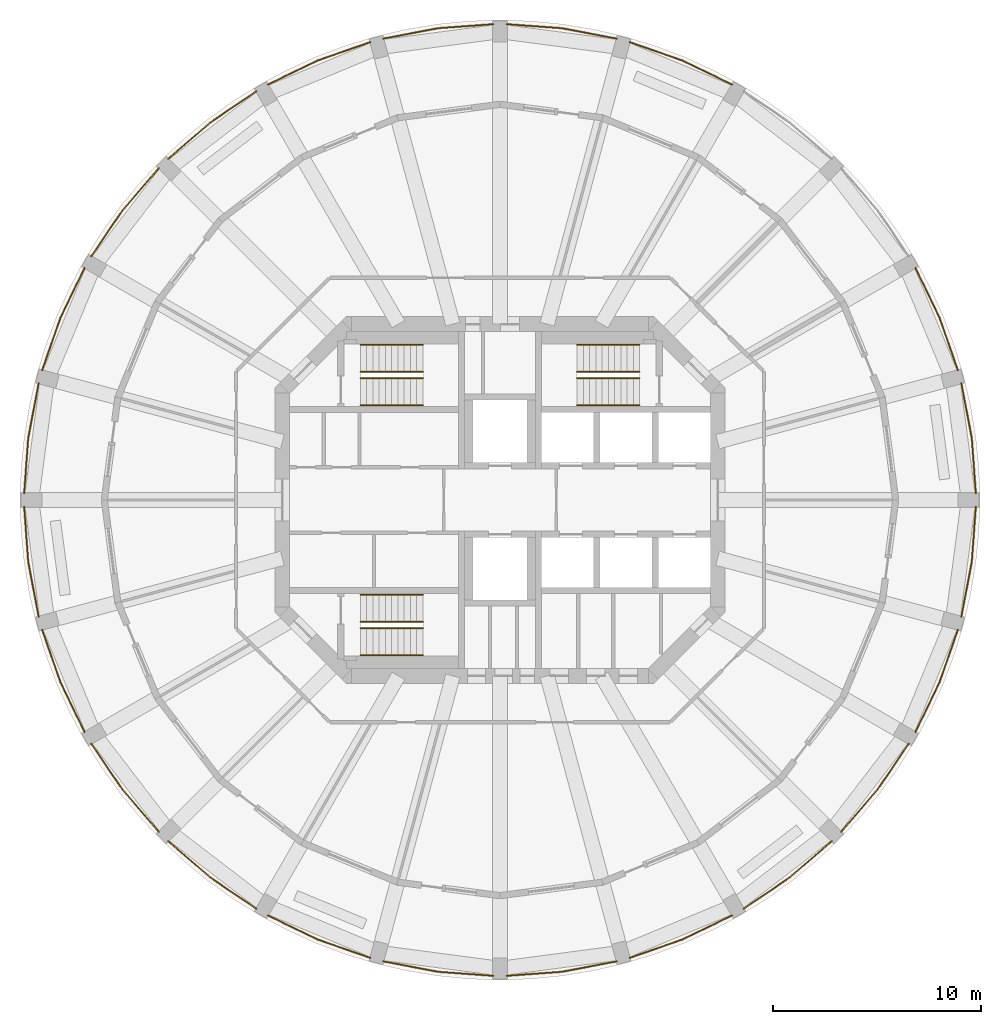
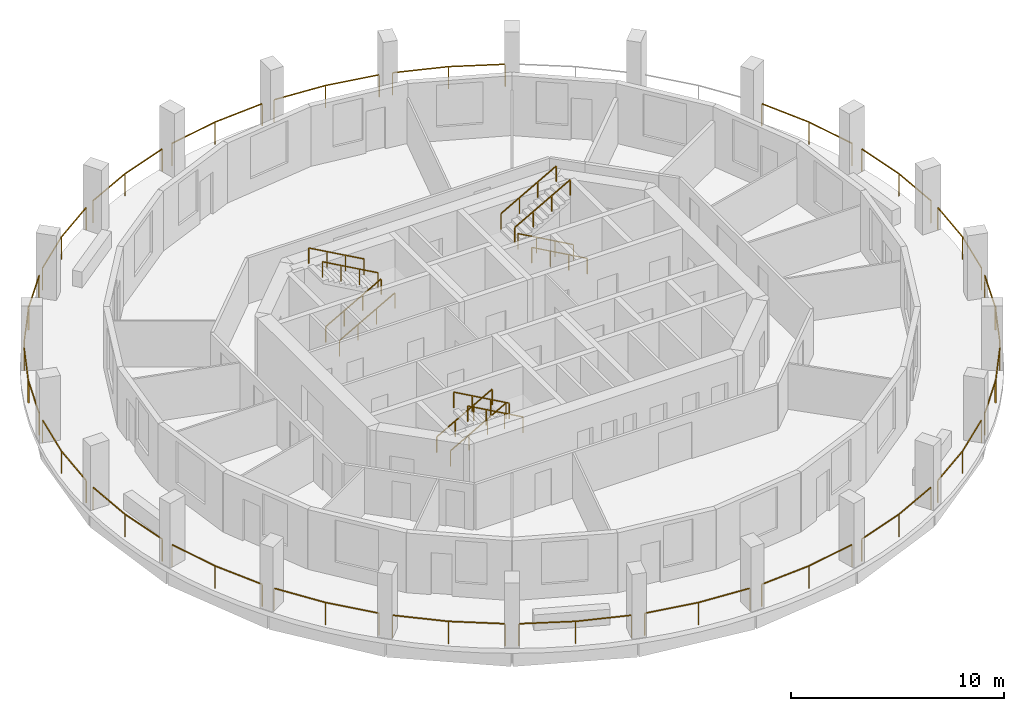
# One storey, part 8 of 9: 34 railings.
"""IFC4 building model written with IfcOpenShell, lengths in metres."""

from ifc_helpers import new_model, si_unit, direction, frame, origin, origin_2d, place, context, subcontext, project, spatial, rectangle, extrude, material, type_object, element, save


model = new_model("IFC4")

# Units and contexts
model_context = context("Model", 3, precision=1e-05, world=origin(), true_north=direction((0.0, 1.0)))
body_context = subcontext(model_context, "Body", "Model", "MODEL_VIEW")
ifc_project = project(units=[si_unit("LENGTHUNIT", "METRE"), si_unit("AREAUNIT", "SQUARE_METRE"), si_unit("VOLUMEUNIT", "CUBIC_METRE"), si_unit("PLANEANGLEUNIT", "RADIAN"), si_unit("MASSUNIT", "GRAM", prefix="KILO")], contexts=[model_context])

# Site, building, storey
site_placement = place(None, origin())
site = spatial("IfcSite", under=ifc_project, at=site_placement, CompositionType="ELEMENT")
building_placement = place(site_placement, origin())
building = spatial("IfcBuilding", under=site, at=building_placement, Name="Torre Triforio", CompositionType="ELEMENT")
storey_placement = place(building_placement, frame((0.0, 0.0, 165.300048828125)))
storey = spatial("IfcBuildingStorey", under=building, at=storey_placement, Name="L37", CompositionType="ELEMENT", Elevation=165.300048828125)

# Railings
ifc_material = material(Name="Stainless steel AISI 316", Category="steel")
railing_type_1 = type_object("IfcRailingType", Name="HANDRAIL 920", PredefinedType="HANDRAIL", material=ifc_material)
for number, where, name in (
    (1, (-6.699951171875, 4.550048828125, 0.168212890625), "Handrail ST1"),
    (2, (-6.699951171875, 5.85009765625, 0.168212890625), "Handrail ST1"),
):
    element("IfcRailing", number, at=place(storey_placement, frame(where)), inside=storey, type_object=railing_type_1, Name=name, PredefinedType="HANDRAIL", context=body_context, shape_type="SweptSolid", body=[
        extrude(rectangle(XDim=0.048095703125, YDim=0.048095703125, at=origin_2d()), frame((0.0, 0.0, 0.89599609375), z_axis=(0.872302573547, 0.0, 0.488966481656), x_axis=(0.0, 1.0, 0.0)), (0.0, 0.0, 1.0), 3.439208984375),
        extrude(rectangle(XDim=0.0419921875, YDim=0.0419921875, at=origin_2d()), origin(), (0.0, 0.0, 1.0), 0.871826171875),
        extrude(rectangle(XDim=0.0419921875, YDim=0.0419921875, at=origin_2d()), frame((1.0, 0.0, 0.560546875)), (0.0, 0.0, 1.0), 0.871826171875),
        extrude(rectangle(XDim=0.0419921875, YDim=0.0419921875, at=origin_2d()), frame((2.0, 0.0, 1.12109375)), (0.0, 0.0, 1.0), 0.871826171875),
        extrude(rectangle(XDim=0.0419921875, YDim=0.0419921875, at=origin_2d()), frame((3.0, 0.0, 1.681640625)), (0.0, 0.0, 1.0), 0.871826171875),
    ])
for number, where, name in (
    (3, (-3.699951171875, 7.449951171875, 2.01806640625), "Handrail ST1"),
    (4, (-3.699951171875, 6.14990234375, 2.01806640625), "Handrail ST1"),
):
    element("IfcRailing", number, at=place(storey_placement, frame(where)), inside=storey, type_object=railing_type_1, Name=name, PredefinedType="HANDRAIL", context=body_context, shape_type="SweptSolid", body=[
        extrude(rectangle(XDim=0.048095703125, YDim=0.048095703125, at=origin_2d()), frame((0.0, 0.0, 0.89599609375), z_axis=(-0.872272294576, 0.0, 0.489020494575), x_axis=(0.0, -1.0, 0.0)), (0.0, 0.0, 1.0), 3.439208984375),
        extrude(rectangle(XDim=0.0419921875, YDim=0.0419921875, at=origin_2d()), origin(), (0.0, 0.0, 1.0), 0.871826171875),
        extrude(rectangle(XDim=0.0419921875, YDim=0.0419921875, at=origin_2d()), frame((-1.0, 0.0, 0.560546875)), (0.0, 0.0, 1.0), 0.871826171875),
        extrude(rectangle(XDim=0.0419921875, YDim=0.0419921875, at=origin_2d()), frame((-2.0, 0.0, 1.121337890625)), (0.0, 0.0, 1.0), 0.871826171875),
        extrude(rectangle(XDim=0.0419921875, YDim=0.0419921875, at=origin_2d()), frame((-3.0, 0.0, 1.681884765625)), (0.0, 0.0, 1.0), 0.871826171875),
    ])
for number, where, name in (
    (5, (6.699951171875, 4.550048828125, 0.168212890625), "Handrail ST2"),
    (6, (6.699951171875, 5.85009765625, 0.168212890625), "Handrail ST2"),
):
    element("IfcRailing", number, at=place(storey_placement, frame(where)), inside=storey, type_object=railing_type_1, Name=name, PredefinedType="HANDRAIL", context=body_context, shape_type="SweptSolid", body=[
        extrude(rectangle(XDim=0.048095703125, YDim=0.048095703125, at=origin_2d()), frame((0.0, 0.0, 0.89599609375), z_axis=(-0.872302573547, 0.0, 0.488966481656), x_axis=(0.0, -1.0, 0.0)), (0.0, 0.0, 1.0), 3.439208984375),
        extrude(rectangle(XDim=0.0419921875, YDim=0.0419921875, at=origin_2d()), origin(), (0.0, 0.0, 1.0), 0.871826171875),
        extrude(rectangle(XDim=0.0419921875, YDim=0.0419921875, at=origin_2d()), frame((-1.0, 0.0, 0.560546875)), (0.0, 0.0, 1.0), 0.871826171875),
        extrude(rectangle(XDim=0.0419921875, YDim=0.0419921875, at=origin_2d()), frame((-2.0, 0.0, 1.12109375)), (0.0, 0.0, 1.0), 0.871826171875),
        extrude(rectangle(XDim=0.0419921875, YDim=0.0419921875, at=origin_2d()), frame((-3.0, 0.0, 1.681640625)), (0.0, 0.0, 1.0), 0.871826171875),
    ])
for number, where, name in (
    (7, (3.699951171875, 7.449951171875, 2.01806640625), "Handrail ST2"),
    (8, (3.699951171875, 6.14990234375, 2.01806640625), "Handrail ST2"),
):
    element("IfcRailing", number, at=place(storey_placement, frame(where)), inside=storey, type_object=railing_type_1, Name=name, PredefinedType="HANDRAIL", context=body_context, shape_type="SweptSolid", body=[
        extrude(rectangle(XDim=0.048095703125, YDim=0.048095703125, at=origin_2d()), frame((0.0, 0.0, 0.89599609375), z_axis=(0.872272294576, 0.0, 0.489020494575), x_axis=(0.0, 1.0, 0.0)), (0.0, 0.0, 1.0), 3.439208984375),
        extrude(rectangle(XDim=0.0419921875, YDim=0.0419921875, at=origin_2d()), origin(), (0.0, 0.0, 1.0), 0.871826171875),
        extrude(rectangle(XDim=0.0419921875, YDim=0.0419921875, at=origin_2d()), frame((1.0, 0.0, 0.560546875)), (0.0, 0.0, 1.0), 0.871826171875),
        extrude(rectangle(XDim=0.0419921875, YDim=0.0419921875, at=origin_2d()), frame((2.0, 0.0, 1.121337890625)), (0.0, 0.0, 1.0), 0.871826171875),
        extrude(rectangle(XDim=0.0419921875, YDim=0.0419921875, at=origin_2d()), frame((3.0, 0.0, 1.681884765625)), (0.0, 0.0, 1.0), 0.871826171875),
    ])
for number, where, name in (
    (9, (-6.699951171875, -4.550048828125, 0.168212890625), "Handrail ST3"),
    (10, (-6.699951171875, -5.85009765625, 0.168212890625), "Handrail ST3"),
):
    element("IfcRailing", number, at=place(storey_placement, frame(where)), inside=storey, type_object=railing_type_1, Name=name, PredefinedType="HANDRAIL", context=body_context, shape_type="SweptSolid", body=[
        extrude(rectangle(XDim=0.048095703125, YDim=0.048095703125, at=origin_2d()), frame((0.0, 0.0, 0.89599609375), z_axis=(0.872302573547, 0.0, 0.488966481656), x_axis=(0.0, 1.0, 0.0)), (0.0, 0.0, 1.0), 3.439208984375),
        extrude(rectangle(XDim=0.0419921875, YDim=0.0419921875, at=origin_2d()), origin(), (0.0, 0.0, 1.0), 0.871826171875),
        extrude(rectangle(XDim=0.0419921875, YDim=0.0419921875, at=origin_2d()), frame((1.0, 0.0, 0.560546875)), (0.0, 0.0, 1.0), 0.871826171875),
        extrude(rectangle(XDim=0.0419921875, YDim=0.0419921875, at=origin_2d()), frame((2.0, 0.0, 1.12109375)), (0.0, 0.0, 1.0), 0.871826171875),
        extrude(rectangle(XDim=0.0419921875, YDim=0.0419921875, at=origin_2d()), frame((3.0, 0.0, 1.681640625)), (0.0, 0.0, 1.0), 0.871826171875),
    ])
for number, where, name in (
    (11, (-3.699951171875, -7.449951171875, 2.01806640625), "Handrail ST3"),
    (12, (-3.699951171875, -6.14990234375, 2.01806640625), "Handrail ST3"),
):
    element("IfcRailing", number, at=place(storey_placement, frame(where)), inside=storey, type_object=railing_type_1, Name=name, PredefinedType="HANDRAIL", context=body_context, shape_type="SweptSolid", body=[
        extrude(rectangle(XDim=0.048095703125, YDim=0.048095703125, at=origin_2d()), frame((0.0, 0.0, 0.89599609375), z_axis=(-0.872272294576, 0.0, 0.489020494575), x_axis=(0.0, -1.0, 0.0)), (0.0, 0.0, 1.0), 3.439208984375),
        extrude(rectangle(XDim=0.0419921875, YDim=0.0419921875, at=origin_2d()), origin(), (0.0, 0.0, 1.0), 0.871826171875),
        extrude(rectangle(XDim=0.0419921875, YDim=0.0419921875, at=origin_2d()), frame((-1.0, 0.0, 0.560546875)), (0.0, 0.0, 1.0), 0.871826171875),
        extrude(rectangle(XDim=0.0419921875, YDim=0.0419921875, at=origin_2d()), frame((-2.0, 0.0, 1.121337890625)), (0.0, 0.0, 1.0), 0.871826171875),
        extrude(rectangle(XDim=0.0419921875, YDim=0.0419921875, at=origin_2d()), frame((-3.0, 0.0, 1.681884765625)), (0.0, 0.0, 1.0), 0.871826171875),
    ])
railing_type_2 = type_object("IfcRailingType", Name="Loggia guard 1300", PredefinedType="GUARDRAIL", material=ifc_material)
railing_1_placement = place(storey_placement, frame((22.85009765625, 0.320068359375, 0.0)))
element("IfcRailing", 13, at=railing_1_placement, inside=storey, type_object=railing_type_2, Name="Loggia guard L37 bay 01", PredefinedType="GUARDRAIL", context=body_context, shape_type="SweptSolid", body=[
    extrude(rectangle(XDim=0.050048828125, YDim=0.050048828125, at=origin_2d()), frame((0.0, 0.0, 1.27490234375), z_axis=(-0.073255194528, 0.997313228868, 0.0), x_axis=(-0.997313228868, -0.073255194528, 0.0)), (0.0, 0.0, 1.0), 2.66943359375),
    extrude(rectangle(XDim=0.050048828125, YDim=0.050048828125, at=origin_2d()), frame((-0.195556640625, 2.662353515625, 1.27490234375), z_axis=(-0.187368424401, 0.982289709575, 0.0), x_axis=(-0.982289709575, -0.187368424401, 0.0)), (0.0, 0.0, 1.0), 2.669921875),
    extrude(rectangle(XDim=0.0400390625, YDim=0.0400390625, at=origin_2d()), origin(), (0.0, 0.0, 1.0), 1.25),
    extrude(rectangle(XDim=0.0400390625, YDim=0.0400390625, at=origin_2d()), frame((-0.195556640625, 2.662353515625, 0.0)), (0.0, 0.0, 1.0), 1.25),
    extrude(rectangle(XDim=0.0400390625, YDim=0.0400390625, at=origin_2d()), frame((-0.69580078125, 5.284912109375, 0.0)), (0.0, 0.0, 1.0), 1.25),
])
railing_2_placement = place(storey_placement, frame((21.988525390625, 6.22314453125, 0.0)))
element("IfcRailing", 14, at=railing_2_placement, inside=storey, type_object=railing_type_2, Name="Loggia guard L37 bay 02", PredefinedType="GUARDRAIL", context=body_context, shape_type="SweptSolid", body=[
    extrude(rectangle(XDim=0.050048828125, YDim=0.050048828125, at=origin_2d()), frame((0.0, 0.0, 1.27490234375), z_axis=(-0.328846918852, 0.944383239984, 0.0), x_axis=(-0.944383239984, -0.328846918852, 0.0)), (0.0, 0.0, 1.0), 2.669677734375),
    extrude(rectangle(XDim=0.050048828125, YDim=0.050048828125, at=origin_2d()), frame((-0.8779296875, 2.521240234375, 1.27490234375), z_axis=(-0.435211903812, 0.900328050646, 0.0), x_axis=(-0.900328050646, -0.435211903812, 0.0)), (0.0, 0.0, 1.0), 2.669677734375),
    extrude(rectangle(XDim=0.0400390625, YDim=0.0400390625, at=origin_2d()), origin(), (0.0, 0.0, 1.0), 1.25),
    extrude(rectangle(XDim=0.0400390625, YDim=0.0400390625, at=origin_2d()), frame((-0.8779296875, 2.521240234375, 0.0)), (0.0, 0.0, 1.0), 1.25),
    extrude(rectangle(XDim=0.0400390625, YDim=0.0400390625, at=origin_2d()), frame((-2.039794921875, 4.9248046875, 0.0)), (0.0, 0.0, 1.0), 1.25),
])
railing_3_placement = place(storey_placement, frame((11.14794921875, 19.94873046875, 0.0)))
element("IfcRailing", 15, at=railing_3_placement, inside=storey, type_object=railing_type_2, Name="Loggia guard L37 bay 05", PredefinedType="GUARDRAIL", context=body_context, shape_type="SweptSolid", body=[
    extrude(rectangle(XDim=0.050048828125, YDim=0.050048828125, at=origin_2d()), frame((0.0, 0.0, 1.27490234375), z_axis=(-0.900328050646, 0.435211903812, 0.0), x_axis=(-0.435211903812, -0.900328050646, 0.0)), (0.0, 0.0, 1.0), 2.669677734375),
    extrude(rectangle(XDim=0.050048828125, YDim=0.050048828125, at=origin_2d()), frame((-2.403564453125, 1.161865234375, 1.27490234375), z_axis=(-0.944383239984, 0.328846918852, 0.0), x_axis=(-0.328846918852, -0.944383239984, 0.0)), (0.0, 0.0, 1.0), 2.669677734375),
    extrude(rectangle(XDim=0.0400390625, YDim=0.0400390625, at=origin_2d()), origin(), (0.0, 0.0, 1.0), 1.25),
    extrude(rectangle(XDim=0.0400390625, YDim=0.0400390625, at=origin_2d()), frame((-2.403564453125, 1.161865234375, 0.0)), (0.0, 0.0, 1.0), 1.25),
    extrude(rectangle(XDim=0.0400390625, YDim=0.0400390625, at=origin_2d()), frame((-4.9248046875, 2.039794921875, 0.0)), (0.0, 0.0, 1.0), 1.25),
])
railing_4_placement = place(storey_placement, frame((5.60498046875, 22.154296875, 0.0)))
element("IfcRailing", 16, at=railing_4_placement, inside=storey, type_object=railing_type_2, Name="Loggia guard L37 bay 06", PredefinedType="GUARDRAIL", context=body_context, shape_type="SweptSolid", body=[
    extrude(rectangle(XDim=0.050048828125, YDim=0.050048828125, at=origin_2d()), frame((0.0, 0.0, 1.27490234375), z_axis=(-0.982289709575, 0.187368424401, 0.0), x_axis=(-0.187368424401, -0.982289709575, 0.0)), (0.0, 0.0, 1.0), 2.669921875),
    extrude(rectangle(XDim=0.050048828125, YDim=0.050048828125, at=origin_2d()), frame((-2.62255859375, 0.500244140625, 1.27490234375), z_axis=(-0.997313228868, 0.073255194528, 0.0), x_axis=(-0.073255194528, -0.997313228868, 0.0)), (0.0, 0.0, 1.0), 2.66943359375),
    extrude(rectangle(XDim=0.0400390625, YDim=0.0400390625, at=origin_2d()), origin(), (0.0, 0.0, 1.0), 1.25),
    extrude(rectangle(XDim=0.0400390625, YDim=0.0400390625, at=origin_2d()), frame((-2.62255859375, 0.500244140625, 0.0)), (0.0, 0.0, 1.0), 1.25),
    extrude(rectangle(XDim=0.0400390625, YDim=0.0400390625, at=origin_2d()), frame((-5.284912109375, 0.69580078125, 0.0)), (0.0, 0.0, 1.0), 1.25),
])
railing_5_placement = place(storey_placement, frame((-0.320068359375, 22.85009765625, 0.0)))
element("IfcRailing", 17, at=railing_5_placement, inside=storey, type_object=railing_type_2, Name="Loggia guard L37 bay 07", PredefinedType="GUARDRAIL", context=body_context, shape_type="SweptSolid", body=[
    extrude(rectangle(XDim=0.050048828125, YDim=0.050048828125, at=origin_2d()), frame((0.0, 0.0, 1.27490234375), z_axis=(-0.997313228868, -0.073255194528, 0.0), x_axis=(0.073255194528, -0.997313228868, 0.0)), (0.0, 0.0, 1.0), 2.66943359375),
    extrude(rectangle(XDim=0.050048828125, YDim=0.050048828125, at=origin_2d()), frame((-2.662353515625, -0.195556640625, 1.27490234375), z_axis=(-0.982289709575, -0.187368424401, 0.0), x_axis=(0.187368424401, -0.982289709575, 0.0)), (0.0, 0.0, 1.0), 2.669921875),
    extrude(rectangle(XDim=0.0400390625, YDim=0.0400390625, at=origin_2d()), origin(), (0.0, 0.0, 1.0), 1.25),
    extrude(rectangle(XDim=0.0400390625, YDim=0.0400390625, at=origin_2d()), frame((-2.662353515625, -0.195556640625, 0.0)), (0.0, 0.0, 1.0), 1.25),
    extrude(rectangle(XDim=0.0400390625, YDim=0.0400390625, at=origin_2d()), frame((-5.284912109375, -0.69580078125, 0.0)), (0.0, 0.0, 1.0), 1.25),
])
railing_6_placement = place(storey_placement, frame((-6.22314453125, 21.988525390625, 0.0)))
element("IfcRailing", 18, at=railing_6_placement, inside=storey, type_object=railing_type_2, Name="Loggia guard L37 bay 08", PredefinedType="GUARDRAIL", context=body_context, shape_type="SweptSolid", body=[
    extrude(rectangle(XDim=0.050048828125, YDim=0.050048828125, at=origin_2d()), frame((0.0, 0.0, 1.27490234375), z_axis=(-0.944383239984, -0.328846918852, 0.0), x_axis=(0.328846918852, -0.944383239984, 0.0)), (0.0, 0.0, 1.0), 2.669677734375),
    extrude(rectangle(XDim=0.050048828125, YDim=0.050048828125, at=origin_2d()), frame((-2.521240234375, -0.8779296875, 1.27490234375), z_axis=(-0.900328050646, -0.435211903812, 0.0), x_axis=(0.435211903812, -0.900328050646, 0.0)), (0.0, 0.0, 1.0), 2.669677734375),
    extrude(rectangle(XDim=0.0400390625, YDim=0.0400390625, at=origin_2d()), origin(), (0.0, 0.0, 1.0), 1.25),
    extrude(rectangle(XDim=0.0400390625, YDim=0.0400390625, at=origin_2d()), frame((-2.521240234375, -0.8779296875, 0.0)), (0.0, 0.0, 1.0), 1.25),
    extrude(rectangle(XDim=0.0400390625, YDim=0.0400390625, at=origin_2d()), frame((-4.9248046875, -2.039794921875, 0.0)), (0.0, 0.0, 1.0), 1.25),
])
railing_7_placement = place(storey_placement, frame((-11.7021484375, 19.628662109375, 0.0)))
element("IfcRailing", 19, at=railing_7_placement, inside=storey, type_object=railing_type_2, Name="Loggia guard L37 bay 09", PredefinedType="GUARDRAIL", context=body_context, shape_type="SweptSolid", body=[
    extrude(rectangle(XDim=0.050048828125, YDim=0.050048828125, at=origin_2d()), frame((0.0, 0.0, 1.27490234375), z_axis=(-0.827093160774, -0.562064856935, 0.0), x_axis=(0.562064856935, -0.827093160774, 0.0)), (0.0, 0.0, 1.0), 2.669677734375),
    extrude(rectangle(XDim=0.050048828125, YDim=0.050048828125, at=origin_2d()), frame((-2.2080078125, -1.50048828125, 1.27490234375), z_axis=(-0.757012150376, -0.653400799038, 0.0), x_axis=(0.653400799038, -0.757012150376, 0.0)), (0.0, 0.0, 1.0), 2.669677734375),
    extrude(rectangle(XDim=0.0400390625, YDim=0.0400390625, at=origin_2d()), origin(), (0.0, 0.0, 1.0), 1.25),
    extrude(rectangle(XDim=0.0400390625, YDim=0.0400390625, at=origin_2d()), frame((-2.2080078125, -1.50048828125, 0.0)), (0.0, 0.0, 1.0), 1.25),
    extrude(rectangle(XDim=0.0400390625, YDim=0.0400390625, at=origin_2d()), frame((-4.22900390625, -3.244873046875, 0.0)), (0.0, 0.0, 1.0), 1.25),
])
railing_8_placement = place(storey_placement, frame((-16.3837890625, 15.93115234375, 0.0)))
element("IfcRailing", 20, at=railing_8_placement, inside=storey, type_object=railing_type_2, Name="Loggia guard L37 bay 10", PredefinedType="GUARDRAIL", context=body_context, shape_type="SweptSolid", body=[
    extrude(rectangle(XDim=0.050048828125, YDim=0.050048828125, at=origin_2d()), frame((0.0, 0.0, 1.27490234375), z_axis=(-0.653400799038, -0.757012150376, 0.0), x_axis=(0.757012150376, -0.653400799038, 0.0)), (0.0, 0.0, 1.0), 2.669677734375),
    extrude(rectangle(XDim=0.050048828125, YDim=0.050048828125, at=origin_2d()), frame((-1.744384765625, -2.02099609375, 1.27490234375), z_axis=(-0.562064856935, -0.827093160774, 0.0), x_axis=(0.827093160774, -0.562064856935, 0.0)), (0.0, 0.0, 1.0), 2.669677734375),
    extrude(rectangle(XDim=0.0400390625, YDim=0.0400390625, at=origin_2d()), origin(), (0.0, 0.0, 1.0), 1.25),
    extrude(rectangle(XDim=0.0400390625, YDim=0.0400390625, at=origin_2d()), frame((-1.744384765625, -2.02099609375, 0.0)), (0.0, 0.0, 1.0), 1.25),
    extrude(rectangle(XDim=0.0400390625, YDim=0.0400390625, at=origin_2d()), frame((-3.244873046875, -4.22900390625, 0.0)), (0.0, 0.0, 1.0), 1.25),
])
railing_9_placement = place(storey_placement, frame((-19.94873046875, 11.14794921875, 0.0)))
element("IfcRailing", 21, at=railing_9_placement, inside=storey, type_object=railing_type_2, Name="Loggia guard L37 bay 11", PredefinedType="GUARDRAIL", context=body_context, shape_type="SweptSolid", body=[
    extrude(rectangle(XDim=0.050048828125, YDim=0.050048828125, at=origin_2d()), frame((0.0, 0.0, 1.27490234375), z_axis=(-0.435211903812, -0.900328050646, 0.0), x_axis=(0.900328050646, -0.435211903812, 0.0)), (0.0, 0.0, 1.0), 2.669677734375),
    extrude(rectangle(XDim=0.050048828125, YDim=0.050048828125, at=origin_2d()), frame((-1.161865234375, -2.403564453125, 1.27490234375), z_axis=(-0.328846918852, -0.944383239984, 0.0), x_axis=(0.944383239984, -0.328846918852, 0.0)), (0.0, 0.0, 1.0), 2.669677734375),
    extrude(rectangle(XDim=0.0400390625, YDim=0.0400390625, at=origin_2d()), origin(), (0.0, 0.0, 1.0), 1.25),
    extrude(rectangle(XDim=0.0400390625, YDim=0.0400390625, at=origin_2d()), frame((-1.161865234375, -2.403564453125, 0.0)), (0.0, 0.0, 1.0), 1.25),
    extrude(rectangle(XDim=0.0400390625, YDim=0.0400390625, at=origin_2d()), frame((-2.039794921875, -4.9248046875, 0.0)), (0.0, 0.0, 1.0), 1.25),
])
railing_10_placement = place(storey_placement, frame((-22.154296875, 5.60498046875, 0.0)))
element("IfcRailing", 22, at=railing_10_placement, inside=storey, type_object=railing_type_2, Name="Loggia guard L37 bay 12", PredefinedType="GUARDRAIL", context=body_context, shape_type="SweptSolid", body=[
    extrude(rectangle(XDim=0.050048828125, YDim=0.050048828125, at=origin_2d()), frame((0.0, 0.0, 1.27490234375), z_axis=(-0.187368424401, -0.982289709575, 0.0), x_axis=(0.982289709575, -0.187368424401, 0.0)), (0.0, 0.0, 1.0), 2.669921875),
    extrude(rectangle(XDim=0.050048828125, YDim=0.050048828125, at=origin_2d()), frame((-0.500244140625, -2.62255859375, 1.27490234375), z_axis=(-0.073255194528, -0.997313228868, 0.0), x_axis=(0.997313228868, -0.073255194528, 0.0)), (0.0, 0.0, 1.0), 2.66943359375),
    extrude(rectangle(XDim=0.0400390625, YDim=0.0400390625, at=origin_2d()), origin(), (0.0, 0.0, 1.0), 1.25),
    extrude(rectangle(XDim=0.0400390625, YDim=0.0400390625, at=origin_2d()), frame((-0.500244140625, -2.62255859375, 0.0)), (0.0, 0.0, 1.0), 1.25),
    extrude(rectangle(XDim=0.0400390625, YDim=0.0400390625, at=origin_2d()), frame((-0.69580078125, -5.284912109375, 0.0)), (0.0, 0.0, 1.0), 1.25),
])
railing_11_placement = place(storey_placement, frame((-22.85009765625, -0.320068359375, 0.0)))
element("IfcRailing", 23, at=railing_11_placement, inside=storey, type_object=railing_type_2, Name="Loggia guard L37 bay 13", PredefinedType="GUARDRAIL", context=body_context, shape_type="SweptSolid", body=[
    extrude(rectangle(XDim=0.050048828125, YDim=0.050048828125, at=origin_2d()), frame((0.0, 0.0, 1.27490234375), z_axis=(0.073255194528, -0.997313228868, 0.0), x_axis=(0.997313228868, 0.073255194528, 0.0)), (0.0, 0.0, 1.0), 2.66943359375),
    extrude(rectangle(XDim=0.050048828125, YDim=0.050048828125, at=origin_2d()), frame((0.195556640625, -2.662353515625, 1.27490234375), z_axis=(0.187368424401, -0.982289709575, 0.0), x_axis=(0.982289709575, 0.187368424401, 0.0)), (0.0, 0.0, 1.0), 2.669921875),
    extrude(rectangle(XDim=0.0400390625, YDim=0.0400390625, at=origin_2d()), origin(), (0.0, 0.0, 1.0), 1.25),
    extrude(rectangle(XDim=0.0400390625, YDim=0.0400390625, at=origin_2d()), frame((0.195556640625, -2.662353515625, 0.0)), (0.0, 0.0, 1.0), 1.25),
    extrude(rectangle(XDim=0.0400390625, YDim=0.0400390625, at=origin_2d()), frame((0.69580078125, -5.284912109375, 0.0)), (0.0, 0.0, 1.0), 1.25),
])
railing_12_placement = place(storey_placement, frame((-21.988525390625, -6.22314453125, 0.0)))
element("IfcRailing", 24, at=railing_12_placement, inside=storey, type_object=railing_type_2, Name="Loggia guard L37 bay 14", PredefinedType="GUARDRAIL", context=body_context, shape_type="SweptSolid", body=[
    extrude(rectangle(XDim=0.050048828125, YDim=0.050048828125, at=origin_2d()), frame((0.0, 0.0, 1.27490234375), z_axis=(0.328846918852, -0.944383239984, 0.0), x_axis=(0.944383239984, 0.328846918852, 0.0)), (0.0, 0.0, 1.0), 2.669677734375),
    extrude(rectangle(XDim=0.050048828125, YDim=0.050048828125, at=origin_2d()), frame((0.8779296875, -2.521240234375, 1.27490234375), z_axis=(0.435211903812, -0.900328050646, 0.0), x_axis=(0.900328050646, 0.435211903812, 0.0)), (0.0, 0.0, 1.0), 2.669677734375),
    extrude(rectangle(XDim=0.0400390625, YDim=0.0400390625, at=origin_2d()), origin(), (0.0, 0.0, 1.0), 1.25),
    extrude(rectangle(XDim=0.0400390625, YDim=0.0400390625, at=origin_2d()), frame((0.8779296875, -2.521240234375, 0.0)), (0.0, 0.0, 1.0), 1.25),
    extrude(rectangle(XDim=0.0400390625, YDim=0.0400390625, at=origin_2d()), frame((2.039794921875, -4.9248046875, 0.0)), (0.0, 0.0, 1.0), 1.25),
])
railing_13_placement = place(storey_placement, frame((-19.628662109375, -11.7021484375, 0.0)))
element("IfcRailing", 25, at=railing_13_placement, inside=storey, type_object=railing_type_2, Name="Loggia guard L37 bay 15", PredefinedType="GUARDRAIL", context=body_context, shape_type="SweptSolid", body=[
    extrude(rectangle(XDim=0.050048828125, YDim=0.050048828125, at=origin_2d()), frame((0.0, 0.0, 1.27490234375), z_axis=(0.562064856935, -0.827093160774, 0.0), x_axis=(0.827093160774, 0.562064856935, 0.0)), (0.0, 0.0, 1.0), 2.669677734375),
    extrude(rectangle(XDim=0.050048828125, YDim=0.050048828125, at=origin_2d()), frame((1.50048828125, -2.2080078125, 1.27490234375), z_axis=(0.653400799038, -0.757012150376, 0.0), x_axis=(0.757012150376, 0.653400799038, 0.0)), (0.0, 0.0, 1.0), 2.669677734375),
    extrude(rectangle(XDim=0.0400390625, YDim=0.0400390625, at=origin_2d()), origin(), (0.0, 0.0, 1.0), 1.25),
    extrude(rectangle(XDim=0.0400390625, YDim=0.0400390625, at=origin_2d()), frame((1.50048828125, -2.2080078125, 0.0)), (0.0, 0.0, 1.0), 1.25),
    extrude(rectangle(XDim=0.0400390625, YDim=0.0400390625, at=origin_2d()), frame((3.244873046875, -4.22900390625, 0.0)), (0.0, 0.0, 1.0), 1.25),
])
railing_14_placement = place(storey_placement, frame((-15.93115234375, -16.3837890625, 0.0)))
element("IfcRailing", 26, at=railing_14_placement, inside=storey, type_object=railing_type_2, Name="Loggia guard L37 bay 16", PredefinedType="GUARDRAIL", context=body_context, shape_type="SweptSolid", body=[
    extrude(rectangle(XDim=0.050048828125, YDim=0.050048828125, at=origin_2d()), frame((0.0, 0.0, 1.27490234375), z_axis=(0.757012150376, -0.653400799038, 0.0), x_axis=(0.653400799038, 0.757012150376, 0.0)), (0.0, 0.0, 1.0), 2.669677734375),
    extrude(rectangle(XDim=0.050048828125, YDim=0.050048828125, at=origin_2d()), frame((2.02099609375, -1.744384765625, 1.27490234375), z_axis=(0.827093160774, -0.562064856935, 0.0), x_axis=(0.562064856935, 0.827093160774, 0.0)), (0.0, 0.0, 1.0), 2.669677734375),
    extrude(rectangle(XDim=0.0400390625, YDim=0.0400390625, at=origin_2d()), origin(), (0.0, 0.0, 1.0), 1.25),
    extrude(rectangle(XDim=0.0400390625, YDim=0.0400390625, at=origin_2d()), frame((2.02099609375, -1.744384765625, 0.0)), (0.0, 0.0, 1.0), 1.25),
    extrude(rectangle(XDim=0.0400390625, YDim=0.0400390625, at=origin_2d()), frame((4.22900390625, -3.244873046875, 0.0)), (0.0, 0.0, 1.0), 1.25),
])
railing_15_placement = place(storey_placement, frame((-11.14794921875, -19.94873046875, 0.0)))
element("IfcRailing", 27, at=railing_15_placement, inside=storey, type_object=railing_type_2, Name="Loggia guard L37 bay 17", PredefinedType="GUARDRAIL", context=body_context, shape_type="SweptSolid", body=[
    extrude(rectangle(XDim=0.050048828125, YDim=0.050048828125, at=origin_2d()), frame((0.0, 0.0, 1.27490234375), z_axis=(0.900328050646, -0.435211903812, 0.0), x_axis=(0.435211903812, 0.900328050646, 0.0)), (0.0, 0.0, 1.0), 2.669677734375),
    extrude(rectangle(XDim=0.050048828125, YDim=0.050048828125, at=origin_2d()), frame((2.403564453125, -1.161865234375, 1.27490234375), z_axis=(0.944383239984, -0.328846918852, 0.0), x_axis=(0.328846918852, 0.944383239984, 0.0)), (0.0, 0.0, 1.0), 2.669677734375),
    extrude(rectangle(XDim=0.0400390625, YDim=0.0400390625, at=origin_2d()), origin(), (0.0, 0.0, 1.0), 1.25),
    extrude(rectangle(XDim=0.0400390625, YDim=0.0400390625, at=origin_2d()), frame((2.403564453125, -1.161865234375, 0.0)), (0.0, 0.0, 1.0), 1.25),
    extrude(rectangle(XDim=0.0400390625, YDim=0.0400390625, at=origin_2d()), frame((4.9248046875, -2.039794921875, 0.0)), (0.0, 0.0, 1.0), 1.25),
])
railing_16_placement = place(storey_placement, frame((-5.60498046875, -22.154296875, 0.0)))
element("IfcRailing", 28, at=railing_16_placement, inside=storey, type_object=railing_type_2, Name="Loggia guard L37 bay 18", PredefinedType="GUARDRAIL", context=body_context, shape_type="SweptSolid", body=[
    extrude(rectangle(XDim=0.050048828125, YDim=0.050048828125, at=origin_2d()), frame((0.0, 0.0, 1.27490234375), z_axis=(0.982289709575, -0.187368424401, 0.0), x_axis=(0.187368424401, 0.982289709575, 0.0)), (0.0, 0.0, 1.0), 2.669921875),
    extrude(rectangle(XDim=0.050048828125, YDim=0.050048828125, at=origin_2d()), frame((2.62255859375, -0.500244140625, 1.27490234375), z_axis=(0.997313228868, -0.073255194528, 0.0), x_axis=(0.073255194528, 0.997313228868, 0.0)), (0.0, 0.0, 1.0), 2.66943359375),
    extrude(rectangle(XDim=0.0400390625, YDim=0.0400390625, at=origin_2d()), origin(), (0.0, 0.0, 1.0), 1.25),
    extrude(rectangle(XDim=0.0400390625, YDim=0.0400390625, at=origin_2d()), frame((2.62255859375, -0.500244140625, 0.0)), (0.0, 0.0, 1.0), 1.25),
    extrude(rectangle(XDim=0.0400390625, YDim=0.0400390625, at=origin_2d()), frame((5.284912109375, -0.69580078125, 0.0)), (0.0, 0.0, 1.0), 1.25),
])
railing_17_placement = place(storey_placement, frame((0.320068359375, -22.85009765625, 0.0)))
element("IfcRailing", 29, at=railing_17_placement, inside=storey, type_object=railing_type_2, Name="Loggia guard L37 bay 19", PredefinedType="GUARDRAIL", context=body_context, shape_type="SweptSolid", body=[
    extrude(rectangle(XDim=0.050048828125, YDim=0.050048828125, at=origin_2d()), frame((0.0, 0.0, 1.27490234375), z_axis=(0.997313228868, 0.073255194528, 0.0), x_axis=(-0.073255194528, 0.997313228868, 0.0)), (0.0, 0.0, 1.0), 2.66943359375),
    extrude(rectangle(XDim=0.050048828125, YDim=0.050048828125, at=origin_2d()), frame((2.662353515625, 0.195556640625, 1.27490234375), z_axis=(0.982289709575, 0.187368424401, 0.0), x_axis=(-0.187368424401, 0.982289709575, 0.0)), (0.0, 0.0, 1.0), 2.669921875),
    extrude(rectangle(XDim=0.0400390625, YDim=0.0400390625, at=origin_2d()), origin(), (0.0, 0.0, 1.0), 1.25),
    extrude(rectangle(XDim=0.0400390625, YDim=0.0400390625, at=origin_2d()), frame((2.662353515625, 0.195556640625, 0.0)), (0.0, 0.0, 1.0), 1.25),
    extrude(rectangle(XDim=0.0400390625, YDim=0.0400390625, at=origin_2d()), frame((5.284912109375, 0.69580078125, 0.0)), (0.0, 0.0, 1.0), 1.25),
])
railing_18_placement = place(storey_placement, frame((6.22314453125, -21.988525390625, 0.0)))
element("IfcRailing", 30, at=railing_18_placement, inside=storey, type_object=railing_type_2, Name="Loggia guard L37 bay 20", PredefinedType="GUARDRAIL", context=body_context, shape_type="SweptSolid", body=[
    extrude(rectangle(XDim=0.050048828125, YDim=0.050048828125, at=origin_2d()), frame((0.0, 0.0, 1.27490234375), z_axis=(0.944383239984, 0.328846918852, 0.0), x_axis=(-0.328846918852, 0.944383239984, 0.0)), (0.0, 0.0, 1.0), 2.669677734375),
    extrude(rectangle(XDim=0.050048828125, YDim=0.050048828125, at=origin_2d()), frame((2.521240234375, 0.8779296875, 1.27490234375), z_axis=(0.900328050646, 0.435211903812, 0.0), x_axis=(-0.435211903812, 0.900328050646, 0.0)), (0.0, 0.0, 1.0), 2.669677734375),
    extrude(rectangle(XDim=0.0400390625, YDim=0.0400390625, at=origin_2d()), origin(), (0.0, 0.0, 1.0), 1.25),
    extrude(rectangle(XDim=0.0400390625, YDim=0.0400390625, at=origin_2d()), frame((2.521240234375, 0.8779296875, 0.0)), (0.0, 0.0, 1.0), 1.25),
    extrude(rectangle(XDim=0.0400390625, YDim=0.0400390625, at=origin_2d()), frame((4.9248046875, 2.039794921875, 0.0)), (0.0, 0.0, 1.0), 1.25),
])
railing_19_placement = place(storey_placement, frame((11.7021484375, -19.628662109375, 0.0)))
element("IfcRailing", 31, at=railing_19_placement, inside=storey, type_object=railing_type_2, Name="Loggia guard L37 bay 21", PredefinedType="GUARDRAIL", context=body_context, shape_type="SweptSolid", body=[
    extrude(rectangle(XDim=0.050048828125, YDim=0.050048828125, at=origin_2d()), frame((0.0, 0.0, 1.27490234375), z_axis=(0.827093160774, 0.562064856935, 0.0), x_axis=(-0.562064856935, 0.827093160774, 0.0)), (0.0, 0.0, 1.0), 2.669677734375),
    extrude(rectangle(XDim=0.050048828125, YDim=0.050048828125, at=origin_2d()), frame((2.2080078125, 1.50048828125, 1.27490234375), z_axis=(0.757012150376, 0.653400799038, 0.0), x_axis=(-0.653400799038, 0.757012150376, 0.0)), (0.0, 0.0, 1.0), 2.669677734375),
    extrude(rectangle(XDim=0.0400390625, YDim=0.0400390625, at=origin_2d()), origin(), (0.0, 0.0, 1.0), 1.25),
    extrude(rectangle(XDim=0.0400390625, YDim=0.0400390625, at=origin_2d()), frame((2.2080078125, 1.50048828125, 0.0)), (0.0, 0.0, 1.0), 1.25),
    extrude(rectangle(XDim=0.0400390625, YDim=0.0400390625, at=origin_2d()), frame((4.22900390625, 3.244873046875, 0.0)), (0.0, 0.0, 1.0), 1.25),
])
railing_20_placement = place(storey_placement, frame((16.3837890625, -15.93115234375, 0.0)))
element("IfcRailing", 32, at=railing_20_placement, inside=storey, type_object=railing_type_2, Name="Loggia guard L37 bay 22", PredefinedType="GUARDRAIL", context=body_context, shape_type="SweptSolid", body=[
    extrude(rectangle(XDim=0.050048828125, YDim=0.050048828125, at=origin_2d()), frame((0.0, 0.0, 1.27490234375), z_axis=(0.653400799038, 0.757012150376, 0.0), x_axis=(-0.757012150376, 0.653400799038, 0.0)), (0.0, 0.0, 1.0), 2.669677734375),
    extrude(rectangle(XDim=0.050048828125, YDim=0.050048828125, at=origin_2d()), frame((1.744384765625, 2.02099609375, 1.27490234375), z_axis=(0.562064856935, 0.827093160774, 0.0), x_axis=(-0.827093160774, 0.562064856935, 0.0)), (0.0, 0.0, 1.0), 2.669677734375),
    extrude(rectangle(XDim=0.0400390625, YDim=0.0400390625, at=origin_2d()), origin(), (0.0, 0.0, 1.0), 1.25),
    extrude(rectangle(XDim=0.0400390625, YDim=0.0400390625, at=origin_2d()), frame((1.744384765625, 2.02099609375, 0.0)), (0.0, 0.0, 1.0), 1.25),
    extrude(rectangle(XDim=0.0400390625, YDim=0.0400390625, at=origin_2d()), frame((3.244873046875, 4.22900390625, 0.0)), (0.0, 0.0, 1.0), 1.25),
])
railing_21_placement = place(storey_placement, frame((19.94873046875, -11.14794921875, 0.0)))
element("IfcRailing", 33, at=railing_21_placement, inside=storey, type_object=railing_type_2, Name="Loggia guard L37 bay 23", PredefinedType="GUARDRAIL", context=body_context, shape_type="SweptSolid", body=[
    extrude(rectangle(XDim=0.050048828125, YDim=0.050048828125, at=origin_2d()), frame((0.0, 0.0, 1.27490234375), z_axis=(0.435211903812, 0.900328050646, 0.0), x_axis=(-0.900328050646, 0.435211903812, 0.0)), (0.0, 0.0, 1.0), 2.669677734375),
    extrude(rectangle(XDim=0.050048828125, YDim=0.050048828125, at=origin_2d()), frame((1.161865234375, 2.403564453125, 1.27490234375), z_axis=(0.328846918852, 0.944383239984, 0.0), x_axis=(-0.944383239984, 0.328846918852, 0.0)), (0.0, 0.0, 1.0), 2.669677734375),
    extrude(rectangle(XDim=0.0400390625, YDim=0.0400390625, at=origin_2d()), origin(), (0.0, 0.0, 1.0), 1.25),
    extrude(rectangle(XDim=0.0400390625, YDim=0.0400390625, at=origin_2d()), frame((1.161865234375, 2.403564453125, 0.0)), (0.0, 0.0, 1.0), 1.25),
    extrude(rectangle(XDim=0.0400390625, YDim=0.0400390625, at=origin_2d()), frame((2.039794921875, 4.9248046875, 0.0)), (0.0, 0.0, 1.0), 1.25),
])
railing_22_placement = place(storey_placement, frame((22.154296875, -5.60498046875, 0.0)))
element("IfcRailing", 34, at=railing_22_placement, inside=storey, type_object=railing_type_2, Name="Loggia guard L37 bay 24", PredefinedType="GUARDRAIL", context=body_context, shape_type="SweptSolid", body=[
    extrude(rectangle(XDim=0.050048828125, YDim=0.050048828125, at=origin_2d()), frame((0.0, 0.0, 1.27490234375), z_axis=(0.187368424401, 0.982289709575, 0.0), x_axis=(-0.982289709575, 0.187368424401, 0.0)), (0.0, 0.0, 1.0), 2.669921875),
    extrude(rectangle(XDim=0.050048828125, YDim=0.050048828125, at=origin_2d()), frame((0.500244140625, 2.62255859375, 1.27490234375), z_axis=(0.073255194528, 0.997313228868, 0.0), x_axis=(-0.997313228868, 0.073255194528, 0.0)), (0.0, 0.0, 1.0), 2.66943359375),
    extrude(rectangle(XDim=0.0400390625, YDim=0.0400390625, at=origin_2d()), origin(), (0.0, 0.0, 1.0), 1.25),
    extrude(rectangle(XDim=0.0400390625, YDim=0.0400390625, at=origin_2d()), frame((0.500244140625, 2.62255859375, 0.0)), (0.0, 0.0, 1.0), 1.25),
    extrude(rectangle(XDim=0.0400390625, YDim=0.0400390625, at=origin_2d()), frame((0.69580078125, 5.284912109375, 0.0)), (0.0, 0.0, 1.0), 1.25),
])

save(model, "model.ifc")
